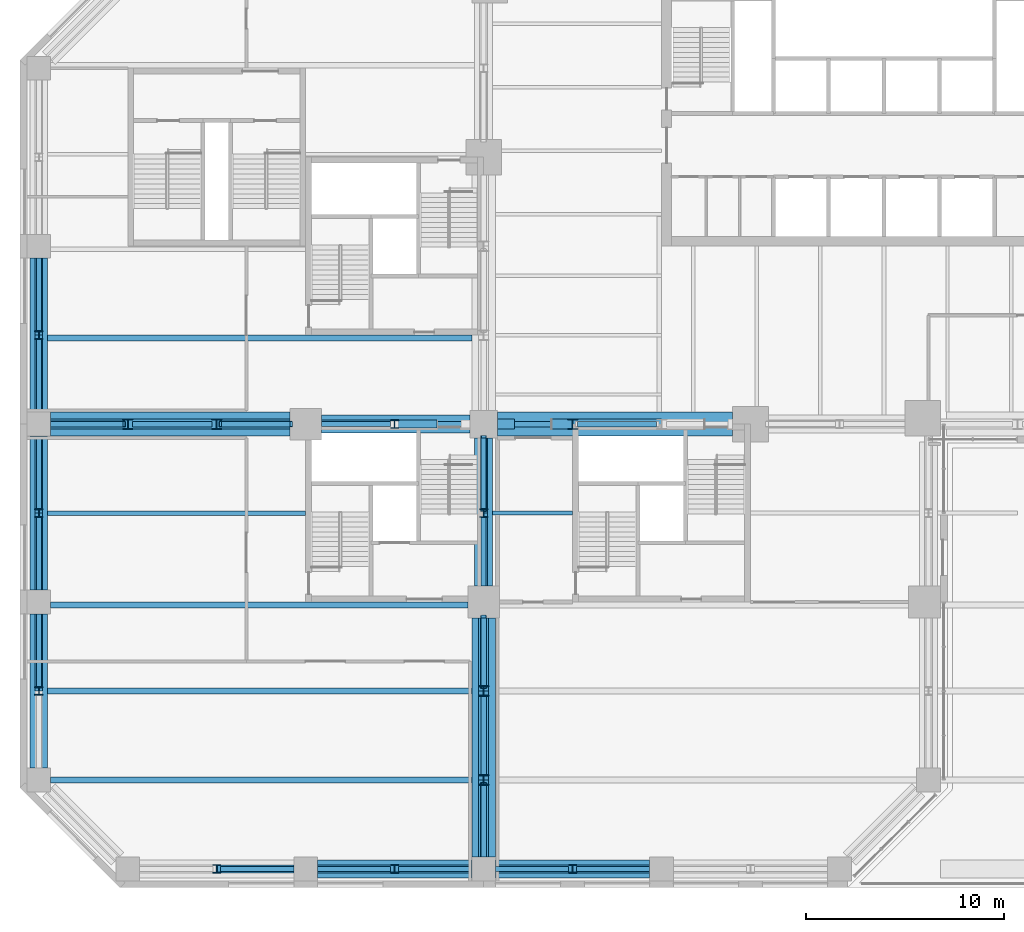
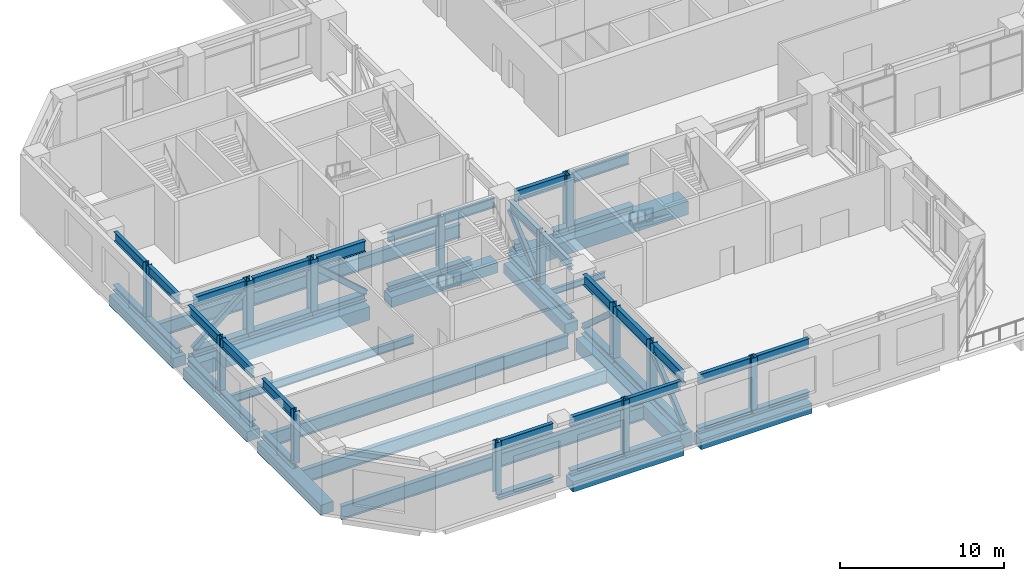
# One storey, part 2 of 21: 41 members, 38 beams.
"""IFC4 building model written with IfcOpenShell, lengths in metres."""

from ifc_helpers import new_model, si_unit, direction, frame, origin, origin_2d, place, context, subcontext, project, spatial, rectangle, hollow_rectangle, i_section, extrude, material, material_profile, profile_set, type_object, element, save


model = new_model("IFC4")

# Units and contexts
model_context = context("Model", 3, precision=1e-05, world=origin(), true_north=direction((0.0, 1.0)))
body_context = subcontext(model_context, "Body", "Model", "MODEL_VIEW")
ifc_project = project(units=[si_unit("LENGTHUNIT", "METRE"), si_unit("AREAUNIT", "SQUARE_METRE"), si_unit("VOLUMEUNIT", "CUBIC_METRE"), si_unit("PLANEANGLEUNIT", "RADIAN"), si_unit("MASSUNIT", "GRAM", prefix="KILO")], contexts=[model_context])

# Site, building, storey
site_placement = place(None, origin())
site = spatial("IfcSite", under=ifc_project, at=site_placement, CompositionType="ELEMENT")
building_placement = place(site_placement, origin())
building = spatial("IfcBuilding", under=site, at=building_placement, Name="Quoin Convention Tower", CompositionType="ELEMENT")
storey_placement = place(building_placement, frame((0.0, 0.0, 18.5)))
storey = spatial("IfcBuildingStorey", under=building, at=storey_placement, Name="L03", CompositionType="ELEMENT", Elevation=18.5)

# Beams
ifc_material_1 = material(Name="Steel Grade 300", Category="steel")
ifc_material_profile_1 = material_profile(ifc_material_1, i_section(OverallWidth=0.300048828125, OverallDepth=1.0, WebThickness=0.01611328125, FlangeThickness=0.02001953125, at=origin_2d()), Name="1000WB215")
ifc_profile_set_1 = profile_set([ifc_material_profile_1], Name="Steel Grade 300")
beam_type_1 = type_object("IfcBeamType", Name="1000WB215", PredefinedType="BEAM", material=ifc_profile_set_1)
beam_1_placement = place(storey_placement, frame((14.10009765625, 22.5, -0.719970703125), z_axis=(1.0, 0.0, 0.0), x_axis=(0.0, 1.0, 0.0)))
element("IfcBeam", 1, at=beam_1_placement, inside=storey, type_object=beam_type_1, Name="gir-L03-ST4-1-0", PredefinedType="BEAM", context=body_context, shape_type="SweptSolid", body=[
    extrude(i_section(OverallWidth=0.300048828125, OverallDepth=1.0, WebThickness=0.01611328125, FlangeThickness=0.02001953125, at=origin_2d()), origin(), (0.0, 0.0, 1.0), 21.2998046875),
])
beam_2_placement = place(storey_placement, frame((13.949951171875, 27.0, -0.719970703125), z_axis=(1.0, 0.0, 0.0), x_axis=(0.0, 1.0, 0.0)))
element("IfcBeam", 2, at=beam_2_placement, inside=storey, type_object=beam_type_1, Name="gir-L03-ST4-2-0", PredefinedType="BEAM", context=body_context, shape_type="SweptSolid", body=[
    extrude(i_section(OverallWidth=0.300048828125, OverallDepth=1.0, WebThickness=0.01611328125, FlangeThickness=0.02001953125, at=origin_2d()), origin(), (0.0, 0.0, 1.0), 21.449951171875),
])
beam_3_placement = place(storey_placement, frame((14.10009765625, 31.35009765625, -0.719970703125), z_axis=(1.0, 0.0, 0.0), x_axis=(0.0, 1.0, 0.0)))
element("IfcBeam", 3, at=beam_3_placement, inside=storey, type_object=beam_type_1, Name="gir-L03-ST4-3-0", PredefinedType="BEAM", context=body_context, shape_type="SweptSolid", body=[
    extrude(i_section(OverallWidth=0.300048828125, OverallDepth=1.0, WebThickness=0.01611328125, FlangeThickness=0.02001953125, at=origin_2d()), origin(), (0.0, 0.0, 1.0), 21.099853515625),
])
beam_4_placement = place(storey_placement, frame((13.949951171875, 44.85009765625, -0.719970703125), z_axis=(1.0, 0.0, 0.0), x_axis=(0.0, 1.0, 0.0)))
element("IfcBeam", 4, at=beam_4_placement, inside=storey, type_object=beam_type_1, Name="gir-L03-ST2-1-0", PredefinedType="BEAM", context=body_context, shape_type="SweptSolid", body=[
    extrude(i_section(OverallWidth=0.300048828125, OverallDepth=1.0, WebThickness=0.01611328125, FlangeThickness=0.02001953125, at=origin_2d()), origin(), (0.0, 0.0, 1.0), 21.449951171875),
])

# Members
ifc_material_profile_2 = material_profile(ifc_material_1, i_section(OverallWidth=0.39990234375, OverallDepth=0.422119140625, WebThickness=0.028076171875, FlangeThickness=0.035888671875, at=origin_2d()), Name="400WC303")
ifc_profile_set_2 = profile_set([ifc_material_profile_2], Name="Steel Grade 300")
member_type_1 = type_object("IfcMemberType", Name="400WC303", PredefinedType="CHORD", material=ifc_profile_set_2)
for number, where, z_axis, x_axis, name in (
    (5, (22.5, 18.0, 0.257080078125), (1.0, 0.0, 0.0), (0.0, 1.0, 0.0), "Transfer girder L03 bottom chord 22500_18000-27000_18000"),
    (6, (27.60009765625, 18.0, 0.257080078125), (1.0, 0.0, 0.0), (0.0, 1.0, 0.0), "Transfer girder L03 bottom chord 27000_18000-31500_18000"),
    (7, (31.5, 18.0, 0.257080078125), (1.0, 0.0, 0.0), (0.0, 1.0, 0.0), "Transfer girder L03 bottom chord 31500_18000-36000_18000"),
    (8, (36.60009765625, 18.0, 0.257080078125), (1.0, 0.0, 0.0), (0.0, 1.0, 0.0), "Transfer girder L03 bottom chord 36000_18000-40500_18000"),
    (9, (40.5, 18.0, 0.257080078125), (1.0, 0.0, 0.0), (0.0, 1.0, 0.0), "Transfer girder L03 bottom chord 40500_18000-45000_18000"),
    (10, (13.5, 48.89990234375, 0.257080078125), (0.0, -1.0, 0.0), (1.0, 0.0, 0.0), "Transfer girder L03 bottom chord 13500_49500-13500_45000"),
    (11, (13.5, 45.0, 0.257080078125), (0.0, -1.0, 0.0), (1.0, 0.0, 0.0), "Transfer girder L03 bottom chord 13500_45000-13500_40500"),
    (12, (13.5, 39.89990234375, 0.257080078125), (0.0, -1.0, 0.0), (1.0, 0.0, 0.0), "Transfer girder L03 bottom chord 13500_40500-13500_36000"),
    (13, (13.5, 36.0, 0.257080078125), (0.0, -1.0, 0.0), (1.0, 0.0, 0.0), "Transfer girder L03 bottom chord 13500_36000-13500_31500"),
    (14, (13.5, 30.89990234375, 0.257080078125), (0.0, -1.0, 0.0), (1.0, 0.0, 0.0), "Transfer girder L03 bottom chord 13500_31500-13500_27000"),
):
    element("IfcMember", number, at=place(storey_placement, frame(where, z_axis=z_axis, x_axis=x_axis)), inside=storey, type_object=member_type_1, Name=name, PredefinedType="CHORD", context=body_context, shape_type="SweptSolid", body=[
        extrude(i_section(OverallWidth=0.39990234375, OverallDepth=0.422119140625, WebThickness=0.028076171875, FlangeThickness=0.035888671875, at=origin_2d()), origin(), (0.0, 0.0, 1.0), 3.89990234375),
    ])
for number, where, z_axis, x_axis, name in (
    (15, (27.800048828125, 40.5, 0.257080078125), (1.0, 0.0, 0.0), (0.0, 1.0, 0.0), "Transfer truss L03 bottom chord 27000_40500-31500_40500"),
    (16, (36.0, 32.300048828125, 0.257080078125), (0.0, 1.0, 0.0), (-1.0, 0.0, 0.0), "Transfer truss L03 bottom chord 36000_31500-36000_36000"),
):
    element("IfcMember", number, at=place(storey_placement, frame(where, z_axis=z_axis, x_axis=x_axis)), inside=storey, type_object=member_type_1, Name=name, PredefinedType="CHORD", context=body_context, shape_type="SweptSolid", body=[
        extrude(i_section(OverallWidth=0.39990234375, OverallDepth=0.422119140625, WebThickness=0.028076171875, FlangeThickness=0.035888671875, at=origin_2d()), origin(), (0.0, 0.0, 1.0), 3.699951171875),
    ])
member_1_placement = place(storey_placement, frame((36.0, 36.0, 0.257080078125), z_axis=(0.0, 1.0, 0.0), x_axis=(-1.0, 0.0, 0.0)))
element("IfcMember", 17, at=member_1_placement, inside=storey, type_object=member_type_1, Name="Transfer truss L03 bottom chord 36000_36000-36000_40500", PredefinedType="CHORD", context=body_context, shape_type="SweptSolid", body=[
    extrude(i_section(OverallWidth=0.39990234375, OverallDepth=0.422119140625, WebThickness=0.028076171875, FlangeThickness=0.035888671875, at=origin_2d()), origin(), (0.0, 0.0, 1.0), 3.800048828125),
])
member_2_placement = place(storey_placement, frame((31.5, 40.5, 0.257080078125), z_axis=(1.0, 0.0, 0.0), x_axis=(0.0, 1.0, 0.0)))
element("IfcMember", 18, at=member_2_placement, inside=storey, type_object=member_type_1, Name="Transfer truss L03 bottom chord 31500_40500-36000_40500", PredefinedType="CHORD", context=body_context, shape_type="SweptSolid", body=[
    extrude(i_section(OverallWidth=0.39990234375, OverallDepth=0.422119140625, WebThickness=0.028076171875, FlangeThickness=0.035888671875, at=origin_2d()), origin(), (0.0, 0.0, 1.0), 2.14990234375),
])
ifc_material_profile_3 = material_profile(ifc_material_1, i_section(OverallWidth=0.39990234375, OverallDepth=0.422119140625, WebThickness=0.028076171875, FlangeThickness=0.035888671875, at=origin_2d()), Name="400WC303")
ifc_profile_set_3 = profile_set([ifc_material_profile_3], Name="Steel Grade 300")
member_type_2 = type_object("IfcMemberType", Name="400WC303 transfer post", PredefinedType="POST", material=ifc_profile_set_3)
for number, where, z_axis, x_axis, name in (
    (19, (22.5, 18.0, 0.513916015625), (0.0, 0.0, 1.0), (1.0, 0.0, 0.0), "Transfer girder L03 post 22500_18000"),
    (20, (31.5, 18.0, 0.513916015625), (0.0, 0.0, 1.0), (1.0, 0.0, 0.0), "Transfer girder L03 post 31500_18000"),
    (21, (40.5, 18.0, 0.513916015625), (0.0, 0.0, 1.0), (1.0, 0.0, 0.0), "Transfer girder L03 post 40500_18000"),
    (22, (13.5, 45.0, 0.513916015625), (0.0, 0.0, 1.0), (1.0, 0.0, 0.0), "Transfer girder L03 post 13500_45000"),
    (23, (13.5, 36.0, 0.513916015625), (0.0, 0.0, 1.0), (1.0, 0.0, 0.0), "Transfer girder L03 post 13500_36000"),
    (24, (13.5, 27.0, 0.513916015625), (0.0, 0.0, 1.0), (1.0, 0.0, 0.0), "Transfer girder L03 post 13500_27000"),
    (25, (31.5, 40.5, 0.513916015625), (0.0, 0.0, 1.0), (1.0, 0.0, 0.0), "Transfer truss L03 post 31500_40500"),
    (26, (36.0, 36.0, 0.513916015625), (0.0, 0.0, 1.0), (1.0, 0.0, 0.0), "Transfer truss L03 post 36000_36000"),
):
    element("IfcMember", number, at=place(storey_placement, frame(where, z_axis=z_axis, x_axis=x_axis)), inside=storey, type_object=member_type_2, Name=name, PredefinedType="POST", context=body_context, shape_type="SweptSolid", body=[
        extrude(i_section(OverallWidth=0.39990234375, OverallDepth=0.422119140625, WebThickness=0.028076171875, FlangeThickness=0.035888671875, at=origin_2d()), origin(), (0.0, 0.0, 1.0), 3.865966796875),
    ])
ifc_material_2 = material(Name="Steel C450L0", Category="steel")
ifc_material_profile_4 = material_profile(ifc_material_2, hollow_rectangle(XDim=0.300048828125, YDim=0.39990234375, WallThickness=0.01611328125, InnerFilletRadius=0.02392578125, OuterFilletRadius=0.0400390625, at=origin_2d()), Name="400x300x16.0RHS")
ifc_profile_set_4 = profile_set([ifc_material_profile_4], Name="Steel C450L0")
member_type_3 = type_object("IfcMemberType", Name="400x300x16.0RHS", PredefinedType="BRACE", material=ifc_profile_set_4)
member_3_placement = place(storey_placement, frame((14.10009765625, 40.5, 0.513916015625), z_axis=(0.765679640547, 0.0, 0.643222114089), x_axis=(0.0, 1.0, 0.0)))
element("IfcMember", 27, at=member_3_placement, inside=storey, type_object=member_type_3, Name="Transfer truss L03 diagonal 13500_40500-18000_40500", PredefinedType="BRACE", context=body_context, shape_type="SweptSolid", body=[
    extrude(hollow_rectangle(XDim=0.300048828125, YDim=0.39990234375, WallThickness=0.01611328125, InnerFilletRadius=0.02392578125, OuterFilletRadius=0.0400390625, at=origin_2d()), origin(), (0.0, 0.0, 1.0), 4.766845703125),
])
member_4_placement = place(storey_placement, frame((26.199951171875, 40.5, 0.513916015625), z_axis=(-0.747458928441, 0.0, 0.664308023656), x_axis=(0.0, -1.0, 0.0)))
element("IfcMember", 28, at=member_4_placement, inside=storey, type_object=member_type_3, Name="Transfer truss L03 diagonal 22500_40500-27000_40500", PredefinedType="BRACE", context=body_context, shape_type="SweptSolid", body=[
    extrude(hollow_rectangle(XDim=0.300048828125, YDim=0.39990234375, WallThickness=0.01611328125, InnerFilletRadius=0.02392578125, OuterFilletRadius=0.0400390625, at=origin_2d()), origin(), (0.0, 0.0, 1.0), 4.615478515625),
])
member_5_placement = place(storey_placement, frame((36.0, 18.60009765625, 0.513916015625), z_axis=(0.0, 0.765679640547, 0.643222114089), x_axis=(-1.0, 0.0, 0.0)))
element("IfcMember", 29, at=member_5_placement, inside=storey, type_object=member_type_3, Name="Transfer truss L03 diagonal 36000_18000-36000_22500", PredefinedType="BRACE", context=body_context, shape_type="SweptSolid", body=[
    extrude(hollow_rectangle(XDim=0.300048828125, YDim=0.39990234375, WallThickness=0.01611328125, InnerFilletRadius=0.02392578125, OuterFilletRadius=0.0400390625, at=origin_2d()), origin(), (0.0, 0.0, 1.0), 4.766845703125),
])
member_6_placement = place(storey_placement, frame((36.0, 30.699951171875, 0.513916015625), z_axis=(0.0, -0.747458928441, 0.664308023656), x_axis=(1.0, 0.0, 0.0)))
element("IfcMember", 30, at=member_6_placement, inside=storey, type_object=member_type_3, Name="Transfer truss L03 diagonal 36000_27000-36000_31500", PredefinedType="BRACE", context=body_context, shape_type="SweptSolid", body=[
    extrude(hollow_rectangle(XDim=0.300048828125, YDim=0.39990234375, WallThickness=0.01611328125, InnerFilletRadius=0.02392578125, OuterFilletRadius=0.0400390625, at=origin_2d()), origin(), (0.0, 0.0, 1.0), 4.615478515625),
])
member_7_placement = place(storey_placement, frame((36.0, 36.199951171875, 0.513916015625), z_axis=(0.0, 0.750927643638, 0.660384489536), x_axis=(-1.0, 0.0, 0.0)))
element("IfcMember", 31, at=member_7_placement, inside=storey, type_object=member_type_3, Name="Transfer truss L03 diagonal 36000_36000-36000_40500", PredefinedType="BRACE", context=body_context, shape_type="SweptSolid", body=[
    extrude(hollow_rectangle(XDim=0.300048828125, YDim=0.39990234375, WallThickness=0.01611328125, InnerFilletRadius=0.02392578125, OuterFilletRadius=0.0400390625, at=origin_2d()), origin(), (0.0, 0.0, 1.0), 4.794189453125),
])

# Beam
ifc_material_profile_5 = material_profile(ifc_material_1, i_section(OverallWidth=0.18994140625, OverallDepth=0.4541015625, WebThickness=0.008544921875, FlangeThickness=0.0126953125, FilletRadius=0.011474609375, at=origin_2d()), Name="460UB67.1")
ifc_profile_set_5 = profile_set([ifc_material_profile_5], Name="Steel Grade 300")
beam_type_2 = type_object("IfcBeamType", Name="460UB67.1", PredefinedType="BEAM", material=ifc_profile_set_5)
beam_5_placement = place(storey_placement, frame((36.449951171875, 36.0, -0.447021484375), z_axis=(1.0, 0.0, 0.0), x_axis=(0.0, 1.0, 0.0)))
element("IfcBeam", 32, at=beam_5_placement, inside=storey, type_object=beam_type_2, Name="gir-L03-ST3-4-0", PredefinedType="BEAM", context=body_context, shape_type="SweptSolid", body=[
    extrude(i_section(OverallWidth=0.18994140625, OverallDepth=0.4541015625, WebThickness=0.008544921875, FlangeThickness=0.0126953125, FilletRadius=0.011474609375, at=origin_2d()), origin(), (0.0, 0.0, 1.0), 4.050048828125),
])

# Members
ifc_material_profile_6 = material_profile(ifc_material_1, i_section(OverallWidth=0.5, OverallDepth=0.513916015625, WebThickness=0.02490234375, FlangeThickness=0.031982421875, at=origin_2d()), Name="500WC340")
ifc_profile_set_6 = profile_set([ifc_material_profile_6], Name="Steel Grade 300")
member_type_4 = type_object("IfcMemberType", Name="500WC340", PredefinedType="CHORD", material=ifc_profile_set_6)
member_8_placement = place(storey_placement, frame((14.10009765625, 40.5, 0.257080078125), z_axis=(1.0, 0.0, 0.0), x_axis=(0.0, 1.0, 0.0)))
element("IfcMember", 33, at=member_8_placement, inside=storey, type_object=member_type_4, Name="Transfer truss L03 bottom chord 13500_40500-18000_40500", PredefinedType="CHORD", context=body_context, shape_type="SweptSolid", body=[
    extrude(i_section(OverallWidth=0.5, OverallDepth=0.513916015625, WebThickness=0.02490234375, FlangeThickness=0.031982421875, at=origin_2d()), origin(), (0.0, 0.0, 1.0), 3.89990234375),
])
member_9_placement = place(storey_placement, frame((18.0, 40.5, 0.257080078125), z_axis=(1.0, 0.0, 0.0), x_axis=(0.0, 1.0, 0.0)))
element("IfcMember", 34, at=member_9_placement, inside=storey, type_object=member_type_4, Name="Transfer truss L03 bottom chord 18000_40500-22500_40500", PredefinedType="CHORD", context=body_context, shape_type="SweptSolid", body=[
    extrude(i_section(OverallWidth=0.5, OverallDepth=0.513916015625, WebThickness=0.02490234375, FlangeThickness=0.031982421875, at=origin_2d()), origin(), (0.0, 0.0, 1.0), 4.5),
])
member_10_placement = place(storey_placement, frame((22.5, 40.5, 0.257080078125), z_axis=(1.0, 0.0, 0.0), x_axis=(0.0, 1.0, 0.0)))
element("IfcMember", 35, at=member_10_placement, inside=storey, type_object=member_type_4, Name="Transfer truss L03 bottom chord 22500_40500-27000_40500", PredefinedType="CHORD", context=body_context, shape_type="SweptSolid", body=[
    extrude(i_section(OverallWidth=0.5, OverallDepth=0.513916015625, WebThickness=0.02490234375, FlangeThickness=0.031982421875, at=origin_2d()), origin(), (0.0, 0.0, 1.0), 3.699951171875),
])
member_11_placement = place(storey_placement, frame((40.5, 40.5, 0.257080078125), z_axis=(1.0, 0.0, 0.0), x_axis=(0.0, 1.0, 0.0)))
element("IfcMember", 36, at=member_11_placement, inside=storey, type_object=member_type_4, Name="Transfer truss L03 bottom chord 40500_40500-45000_40500", PredefinedType="CHORD", context=body_context, shape_type="SweptSolid", body=[
    extrude(i_section(OverallWidth=0.5, OverallDepth=0.513916015625, WebThickness=0.02490234375, FlangeThickness=0.031982421875, at=origin_2d()), origin(), (0.0, 0.0, 1.0), 4.5),
])
member_12_placement = place(storey_placement, frame((36.0, 18.60009765625, 0.257080078125), z_axis=(0.0, 1.0, 0.0), x_axis=(-1.0, 0.0, 0.0)))
element("IfcMember", 37, at=member_12_placement, inside=storey, type_object=member_type_4, Name="Transfer truss L03 bottom chord 36000_18000-36000_22500", PredefinedType="CHORD", context=body_context, shape_type="SweptSolid", body=[
    extrude(i_section(OverallWidth=0.5, OverallDepth=0.513916015625, WebThickness=0.02490234375, FlangeThickness=0.031982421875, at=origin_2d()), origin(), (0.0, 0.0, 1.0), 3.89990234375),
])
member_13_placement = place(storey_placement, frame((36.0, 22.5, 0.257080078125), z_axis=(0.0, 1.0, 0.0), x_axis=(-1.0, 0.0, 0.0)))
element("IfcMember", 38, at=member_13_placement, inside=storey, type_object=member_type_4, Name="Transfer truss L03 bottom chord 36000_22500-36000_27000", PredefinedType="CHORD", context=body_context, shape_type="SweptSolid", body=[
    extrude(i_section(OverallWidth=0.5, OverallDepth=0.513916015625, WebThickness=0.02490234375, FlangeThickness=0.031982421875, at=origin_2d()), origin(), (0.0, 0.0, 1.0), 4.5),
])
member_14_placement = place(storey_placement, frame((36.0, 27.0, 0.257080078125), z_axis=(0.0, 1.0, 0.0), x_axis=(-1.0, 0.0, 0.0)))
element("IfcMember", 39, at=member_14_placement, inside=storey, type_object=member_type_4, Name="Transfer truss L03 bottom chord 36000_27000-36000_31500", PredefinedType="CHORD", context=body_context, shape_type="SweptSolid", body=[
    extrude(i_section(OverallWidth=0.5, OverallDepth=0.513916015625, WebThickness=0.02490234375, FlangeThickness=0.031982421875, at=origin_2d()), origin(), (0.0, 0.0, 1.0), 3.699951171875),
])
member_15_placement = place(storey_placement, frame((36.699951171875, 40.5, 0.257080078125), z_axis=(1.0, 0.0, 0.0), x_axis=(0.0, 1.0, 0.0)))
element("IfcMember", 40, at=member_15_placement, inside=storey, type_object=member_type_4, Name="Transfer truss L03 bottom chord 36000_40500-40500_40500", PredefinedType="CHORD", context=body_context, shape_type="SweptSolid", body=[
    extrude(i_section(OverallWidth=0.5, OverallDepth=0.513916015625, WebThickness=0.02490234375, FlangeThickness=0.031982421875, at=origin_2d()), origin(), (0.0, 0.0, 1.0), 0.85009765625),
])
member_16_placement = place(storey_placement, frame((39.449951171875, 40.5, 0.257080078125), z_axis=(1.0, 0.0, 0.0), x_axis=(0.0, 1.0, 0.0)))
element("IfcMember", 41, at=member_16_placement, inside=storey, type_object=member_type_4, Name="Transfer truss L03 bottom chord 36000_40500-40500_40500", PredefinedType="CHORD", context=body_context, shape_type="SweptSolid", body=[
    extrude(i_section(OverallWidth=0.5, OverallDepth=0.513916015625, WebThickness=0.02490234375, FlangeThickness=0.031982421875, at=origin_2d()), origin(), (0.0, 0.0, 1.0), 1.050048828125),
])
ifc_material_profile_7 = material_profile(ifc_material_1, i_section(OverallWidth=0.5, OverallDepth=0.513916015625, WebThickness=0.02490234375, FlangeThickness=0.031982421875, at=origin_2d()), Name="500WC340")
ifc_profile_set_7 = profile_set([ifc_material_profile_7], Name="Steel Grade 300")
member_type_5 = type_object("IfcMemberType", Name="500WC340 transfer post", PredefinedType="POST", material=ifc_profile_set_7)
for number, where, z_axis, x_axis, name in (
    (42, (18.0, 40.5, 0.513916015625), (0.0, 0.0, 1.0), (1.0, 0.0, 0.0), "Transfer truss L03 post 18000_40500"),
    (43, (22.5, 40.5, 0.513916015625), (0.0, 0.0, 1.0), (1.0, 0.0, 0.0), "Transfer truss L03 post 22500_40500"),
    (44, (40.5, 40.5, 0.513916015625), (0.0, 0.0, 1.0), (1.0, 0.0, 0.0), "Transfer truss L03 post 40500_40500"),
    (45, (36.0, 22.5, 0.513916015625), (0.0, 0.0, 1.0), (1.0, 0.0, 0.0), "Transfer truss L03 post 36000_22500"),
    (46, (36.0, 27.0, 0.513916015625), (0.0, 0.0, 1.0), (1.0, 0.0, 0.0), "Transfer truss L03 post 36000_27000"),
):
    element("IfcMember", number, at=place(storey_placement, frame(where, z_axis=z_axis, x_axis=x_axis)), inside=storey, type_object=member_type_5, Name=name, PredefinedType="POST", context=body_context, shape_type="SweptSolid", body=[
        extrude(i_section(OverallWidth=0.5, OverallDepth=0.513916015625, WebThickness=0.02490234375, FlangeThickness=0.031982421875, at=origin_2d()), origin(), (0.0, 0.0, 1.0), 3.865966796875),
    ])

# Beams
ifc_material_profile_8 = material_profile(ifc_material_1, i_section(OverallWidth=0.22802734375, OverallDepth=0.60205078125, WebThickness=0.010498046875, FlangeThickness=0.014892578125, FilletRadius=0.013916015625, at=origin_2d()), Name="610UB101")
ifc_profile_set_8 = profile_set([ifc_material_profile_8], Name="Steel Grade 300")
beam_type_3 = type_object("IfcBeamType", Name="610UB101", PredefinedType="BEAM", material=ifc_profile_set_8)
beam_6_placement = place(storey_placement, frame((13.949951171875, 36.0, -0.52099609375), z_axis=(1.0, 0.0, 0.0), x_axis=(0.0, 1.0, 0.0)))
element("IfcBeam", 47, at=beam_6_placement, inside=storey, type_object=beam_type_3, Name="gir-L03-ST4-4-0", PredefinedType="BEAM", context=body_context, shape_type="SweptSolid", body=[
    extrude(i_section(OverallWidth=0.22802734375, OverallDepth=0.60205078125, WebThickness=0.010498046875, FlangeThickness=0.014892578125, FilletRadius=0.013916015625, at=origin_2d()), origin(), (0.0, 0.0, 1.0), 13.050048828125),
])
ifc_material_profile_9 = material_profile(ifc_material_1, i_section(OverallWidth=0.25, OverallDepth=0.699951171875, WebThickness=0.010009765625, FlangeThickness=0.02001953125, at=origin_2d()), Name="700WB130")
ifc_profile_set_9 = profile_set([ifc_material_profile_9], Name="Steel Grade 300")
beam_type_4 = type_object("IfcBeamType", Name="700WB130", PredefinedType="BEAM", material=ifc_profile_set_9)
for number, where, z_axis, x_axis, name in (
    (48, (22.699951171875, 18.0, 4.030029296875), (1.0, 0.0, 0.0), (0.0, 1.0, 0.0), "Transfer girder L03 top chord 22500_18000-27000_18000"),
    (49, (27.60009765625, 18.0, 4.030029296875), (1.0, 0.0, 0.0), (0.0, 1.0, 0.0), "Transfer girder L03 top chord 27000_18000-31500_18000"),
    (50, (31.699951171875, 18.0, 4.030029296875), (1.0, 0.0, 0.0), (0.0, 1.0, 0.0), "Transfer girder L03 top chord 31500_18000-36000_18000"),
    (51, (36.60009765625, 18.0, 4.030029296875), (1.0, 0.0, 0.0), (0.0, 1.0, 0.0), "Transfer girder L03 top chord 36000_18000-40500_18000"),
    (52, (40.699951171875, 18.0, 4.030029296875), (1.0, 0.0, 0.0), (0.0, 1.0, 0.0), "Transfer girder L03 top chord 40500_18000-45000_18000"),
    (53, (13.5, 48.89990234375, 4.030029296875), (0.0, -1.0, 0.0), (1.0, 0.0, 0.0), "Transfer girder L03 top chord 13500_49500-13500_45000"),
    (54, (13.5, 44.800048828125, 4.030029296875), (0.0, -1.0, 0.0), (1.0, 0.0, 0.0), "Transfer girder L03 top chord 13500_45000-13500_40500"),
    (55, (13.5, 39.89990234375, 4.030029296875), (0.0, -1.0, 0.0), (1.0, 0.0, 0.0), "Transfer girder L03 top chord 13500_40500-13500_36000"),
    (56, (13.5, 35.800048828125, 4.030029296875), (0.0, -1.0, 0.0), (1.0, 0.0, 0.0), "Transfer girder L03 top chord 13500_36000-13500_31500"),
    (57, (13.5, 30.89990234375, 4.030029296875), (0.0, -1.0, 0.0), (1.0, 0.0, 0.0), "Transfer girder L03 top chord 13500_31500-13500_27000"),
):
    element("IfcBeam", number, at=place(storey_placement, frame(where, z_axis=z_axis, x_axis=x_axis)), inside=storey, type_object=beam_type_4, Name=name, PredefinedType="BEAM", context=body_context, shape_type="SweptSolid", body=[
        extrude(i_section(OverallWidth=0.25, OverallDepth=0.699951171875, WebThickness=0.010009765625, FlangeThickness=0.02001953125, at=origin_2d()), origin(), (0.0, 0.0, 1.0), 3.699951171875),
    ])
beam_7_placement = place(storey_placement, frame((27.800048828125, 40.5, 4.030029296875), z_axis=(1.0, 0.0, 0.0), x_axis=(0.0, 1.0, 0.0)))
element("IfcBeam", 58, at=beam_7_placement, inside=storey, type_object=beam_type_4, Name="Transfer truss L03 top chord 27000_40500-31500_40500", PredefinedType="BEAM", context=body_context, shape_type="SweptSolid", body=[
    extrude(i_section(OverallWidth=0.25, OverallDepth=0.699951171875, WebThickness=0.010009765625, FlangeThickness=0.02001953125, at=origin_2d()), origin(), (0.0, 0.0, 1.0), 3.5),
])
beam_8_placement = place(storey_placement, frame((31.699951171875, 40.5, 4.030029296875), z_axis=(1.0, 0.0, 0.0), x_axis=(0.0, 1.0, 0.0)))
element("IfcBeam", 59, at=beam_8_placement, inside=storey, type_object=beam_type_4, Name="Transfer truss L03 top chord 31500_40500-36000_40500", PredefinedType="BEAM", context=body_context, shape_type="SweptSolid", body=[
    extrude(i_section(OverallWidth=0.25, OverallDepth=0.699951171875, WebThickness=0.010009765625, FlangeThickness=0.02001953125, at=origin_2d()), origin(), (0.0, 0.0, 1.0), 3.60009765625),
])
beam_9_placement = place(storey_placement, frame((36.0, 32.300048828125, 4.030029296875), z_axis=(0.0, 1.0, 0.0), x_axis=(-1.0, 0.0, 0.0)))
element("IfcBeam", 60, at=beam_9_placement, inside=storey, type_object=beam_type_4, Name="Transfer truss L03 top chord 36000_31500-36000_36000", PredefinedType="BEAM", context=body_context, shape_type="SweptSolid", body=[
    extrude(i_section(OverallWidth=0.25, OverallDepth=0.699951171875, WebThickness=0.010009765625, FlangeThickness=0.02001953125, at=origin_2d()), origin(), (0.0, 0.0, 1.0), 3.5),
])
beam_10_placement = place(storey_placement, frame((36.0, 36.199951171875, 4.030029296875), z_axis=(0.0, 1.0, 0.0), x_axis=(-1.0, 0.0, 0.0)))
element("IfcBeam", 61, at=beam_10_placement, inside=storey, type_object=beam_type_4, Name="Transfer truss L03 top chord 36000_36000-36000_40500", PredefinedType="BEAM", context=body_context, shape_type="SweptSolid", body=[
    extrude(i_section(OverallWidth=0.25, OverallDepth=0.699951171875, WebThickness=0.010009765625, FlangeThickness=0.02001953125, at=origin_2d()), origin(), (0.0, 0.0, 1.0), 3.60009765625),
])
ifc_material_profile_10 = material_profile(ifc_material_1, i_section(OverallWidth=0.27490234375, OverallDepth=0.800048828125, WebThickness=0.010009765625, FlangeThickness=0.02001953125, at=origin_2d()), Name="800WB146")
ifc_profile_set_10 = profile_set([ifc_material_profile_10], Name="Steel Grade 300")
beam_type_5 = type_object("IfcBeamType", Name="800WB146", PredefinedType="BEAM", material=ifc_profile_set_10)
beam_11_placement = place(storey_placement, frame((14.10009765625, 40.5, 3.97998046875), z_axis=(1.0, 0.0, 0.0), x_axis=(0.0, 1.0, 0.0)))
element("IfcBeam", 62, at=beam_11_placement, inside=storey, type_object=beam_type_5, Name="Transfer truss L03 top chord 13500_40500-18000_40500", PredefinedType="BEAM", context=body_context, shape_type="SweptSolid", body=[
    extrude(i_section(OverallWidth=0.27490234375, OverallDepth=0.800048828125, WebThickness=0.010009765625, FlangeThickness=0.02001953125, at=origin_2d()), origin(), (0.0, 0.0, 1.0), 3.64990234375),
])
beam_12_placement = place(storey_placement, frame((18.25, 40.5, 3.97998046875), z_axis=(1.0, 0.0, 0.0), x_axis=(0.0, 1.0, 0.0)))
element("IfcBeam", 63, at=beam_12_placement, inside=storey, type_object=beam_type_5, Name="Transfer truss L03 top chord 18000_40500-22500_40500", PredefinedType="BEAM", context=body_context, shape_type="SweptSolid", body=[
    extrude(i_section(OverallWidth=0.27490234375, OverallDepth=0.800048828125, WebThickness=0.010009765625, FlangeThickness=0.02001953125, at=origin_2d()), origin(), (0.0, 0.0, 1.0), 4.0),
])
beam_13_placement = place(storey_placement, frame((22.75, 40.5, 3.97998046875), z_axis=(1.0, 0.0, 0.0), x_axis=(0.0, 1.0, 0.0)))
element("IfcBeam", 64, at=beam_13_placement, inside=storey, type_object=beam_type_5, Name="Transfer truss L03 top chord 22500_40500-27000_40500", PredefinedType="BEAM", context=body_context, shape_type="SweptSolid", body=[
    extrude(i_section(OverallWidth=0.27490234375, OverallDepth=0.800048828125, WebThickness=0.010009765625, FlangeThickness=0.02001953125, at=origin_2d()), origin(), (0.0, 0.0, 1.0), 3.449951171875),
])
beam_14_placement = place(storey_placement, frame((36.699951171875, 40.5, 3.97998046875), z_axis=(1.0, 0.0, 0.0), x_axis=(0.0, 1.0, 0.0)))
element("IfcBeam", 65, at=beam_14_placement, inside=storey, type_object=beam_type_5, Name="Transfer truss L03 top chord 36000_40500-40500_40500", PredefinedType="BEAM", context=body_context, shape_type="SweptSolid", body=[
    extrude(i_section(OverallWidth=0.27490234375, OverallDepth=0.800048828125, WebThickness=0.010009765625, FlangeThickness=0.02001953125, at=origin_2d()), origin(), (0.0, 0.0, 1.0), 3.550048828125),
])
beam_15_placement = place(storey_placement, frame((40.75, 40.5, 3.97998046875), z_axis=(1.0, 0.0, 0.0), x_axis=(0.0, 1.0, 0.0)))
element("IfcBeam", 66, at=beam_15_placement, inside=storey, type_object=beam_type_5, Name="Transfer truss L03 top chord 40500_40500-45000_40500", PredefinedType="BEAM", context=body_context, shape_type="SweptSolid", body=[
    extrude(i_section(OverallWidth=0.27490234375, OverallDepth=0.800048828125, WebThickness=0.010009765625, FlangeThickness=0.02001953125, at=origin_2d()), origin(), (0.0, 0.0, 1.0), 4.0),
])
beam_16_placement = place(storey_placement, frame((36.0, 18.60009765625, 3.97998046875), z_axis=(0.0, 1.0, 0.0), x_axis=(-1.0, 0.0, 0.0)))
element("IfcBeam", 67, at=beam_16_placement, inside=storey, type_object=beam_type_5, Name="Transfer truss L03 top chord 36000_18000-36000_22500", PredefinedType="BEAM", context=body_context, shape_type="SweptSolid", body=[
    extrude(i_section(OverallWidth=0.27490234375, OverallDepth=0.800048828125, WebThickness=0.010009765625, FlangeThickness=0.02001953125, at=origin_2d()), origin(), (0.0, 0.0, 1.0), 3.64990234375),
])
beam_17_placement = place(storey_placement, frame((36.0, 22.75, 3.97998046875), z_axis=(0.0, 1.0, 0.0), x_axis=(-1.0, 0.0, 0.0)))
element("IfcBeam", 68, at=beam_17_placement, inside=storey, type_object=beam_type_5, Name="Transfer truss L03 top chord 36000_22500-36000_27000", PredefinedType="BEAM", context=body_context, shape_type="SweptSolid", body=[
    extrude(i_section(OverallWidth=0.27490234375, OverallDepth=0.800048828125, WebThickness=0.010009765625, FlangeThickness=0.02001953125, at=origin_2d()), origin(), (0.0, 0.0, 1.0), 4.0),
])
beam_18_placement = place(storey_placement, frame((36.0, 27.25, 3.97998046875), z_axis=(0.0, 1.0, 0.0), x_axis=(-1.0, 0.0, 0.0)))
element("IfcBeam", 69, at=beam_18_placement, inside=storey, type_object=beam_type_5, Name="Transfer truss L03 top chord 36000_27000-36000_31500", PredefinedType="BEAM", context=body_context, shape_type="SweptSolid", body=[
    extrude(i_section(OverallWidth=0.27490234375, OverallDepth=0.800048828125, WebThickness=0.010009765625, FlangeThickness=0.02001953125, at=origin_2d()), origin(), (0.0, 0.0, 1.0), 3.449951171875),
])
ifc_material_3 = material(Name="Concrete C80", Category="concrete")
ifc_material_profile_11 = material_profile(ifc_material_3, rectangle(XDim=1.199951171875, YDim=1.0, at=origin_2d()), Name="RC 1200x1000")
ifc_profile_set_11 = profile_set([ifc_material_profile_11], Name="Concrete C80")
beam_type_6 = type_object("IfcBeamType", Name="RC 1200x1000 C80", PredefinedType="SPANDREL", material=ifc_profile_set_11)
beam_19_placement = place(storey_placement, frame((14.10009765625, 40.5, -0.719970703125), z_axis=(1.0, 0.0, 0.0), x_axis=(0.0, 1.0, 0.0)))
element("IfcBeam", 70, at=beam_19_placement, inside=storey, type_object=beam_type_6, Name="spd-L03-13500_40500-27000_40500", PredefinedType="SPANDREL", context=body_context, shape_type="SweptSolid", body=[
    extrude(rectangle(XDim=1.199951171875, YDim=1.0, at=origin_2d()), origin(), (0.0, 0.0, 1.0), 12.099853515625),
])
beam_20_placement = place(storey_placement, frame((36.699951171875, 40.5, -0.719970703125), z_axis=(1.0, 0.0, 0.0), x_axis=(0.0, 1.0, 0.0)))
element("IfcBeam", 71, at=beam_20_placement, inside=storey, type_object=beam_type_6, Name="spd-L03-36000_40500-49500_40500", PredefinedType="SPANDREL", context=body_context, shape_type="SweptSolid", body=[
    extrude(rectangle(XDim=1.199951171875, YDim=1.0, at=origin_2d()), origin(), (0.0, 0.0, 1.0), 11.900146484375),
])
beam_21_placement = place(storey_placement, frame((36.0, 18.60009765625, -0.719970703125), z_axis=(0.0, 1.0, 0.0), x_axis=(-1.0, 0.0, 0.0)))
element("IfcBeam", 72, at=beam_21_placement, inside=storey, type_object=beam_type_6, Name="spd-L03-36000_18000-36000_31500", PredefinedType="SPANDREL", context=body_context, shape_type="SweptSolid", body=[
    extrude(rectangle(XDim=1.199951171875, YDim=1.0, at=origin_2d()), origin(), (0.0, 0.0, 1.0), 12.099853515625),
])
ifc_material_profile_12 = material_profile(ifc_material_3, rectangle(XDim=0.89990234375, YDim=0.75, at=origin_2d()), Name="RC 900x750")
ifc_profile_set_12 = profile_set([ifc_material_profile_12], Name="Concrete C80")
beam_type_7 = type_object("IfcBeamType", Name="RC 900x750 C80", PredefinedType="SPANDREL", material=ifc_profile_set_12)
for number, where, z_axis, x_axis, name in (
    (73, (27.60009765625, 18.0, -0.594970703125), (1.0, 0.0, 0.0), (0.0, 1.0, 0.0), "spd-L03-27000_18000-36000_18000"),
    (74, (36.60009765625, 18.0, -0.594970703125), (1.0, 0.0, 0.0), (0.0, 1.0, 0.0), "spd-L03-36000_18000-45000_18000"),
    (75, (13.5, 48.89990234375, -0.594970703125), (0.0, -1.0, 0.0), (1.0, 0.0, 0.0), "spd-L03-13500_49500-13500_40500"),
    (76, (13.5, 39.89990234375, -0.594970703125), (0.0, -1.0, 0.0), (1.0, 0.0, 0.0), "spd-L03-13500_40500-13500_31500"),
    (77, (13.5, 30.89990234375, -0.594970703125), (0.0, -1.0, 0.0), (1.0, 0.0, 0.0), "spd-L03-13500_31500-13500_22500"),
):
    element("IfcBeam", number, at=place(storey_placement, frame(where, z_axis=z_axis, x_axis=x_axis)), inside=storey, type_object=beam_type_7, Name=name, PredefinedType="SPANDREL", context=body_context, shape_type="SweptSolid", body=[
        extrude(rectangle(XDim=0.89990234375, YDim=0.75, at=origin_2d()), origin(), (0.0, 0.0, 1.0), 7.7998046875),
    ])
for number, where, z_axis, x_axis, name in (
    (78, (27.800048828125, 40.5, -0.594970703125), (1.0, 0.0, 0.0), (0.0, 1.0, 0.0), "spd-L03-27000_40500-36000_40500"),
    (79, (36.0, 32.300048828125, -0.594970703125), (0.0, 1.0, 0.0), (-1.0, 0.0, 0.0), "spd-L03-36000_31500-36000_40500"),
):
    element("IfcBeam", number, at=place(storey_placement, frame(where, z_axis=z_axis, x_axis=x_axis)), inside=storey, type_object=beam_type_7, Name=name, PredefinedType="SPANDREL", context=body_context, shape_type="SweptSolid", body=[
        extrude(rectangle(XDim=0.89990234375, YDim=0.75, at=origin_2d()), origin(), (0.0, 0.0, 1.0), 7.5),
    ])

save(model, "model.ifc")
